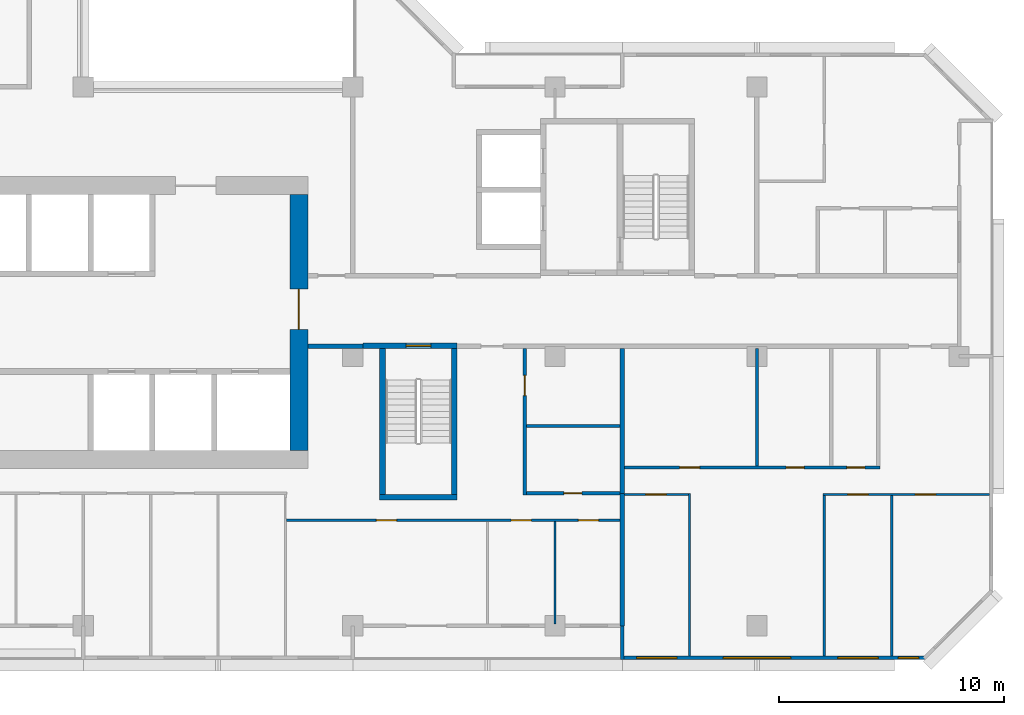
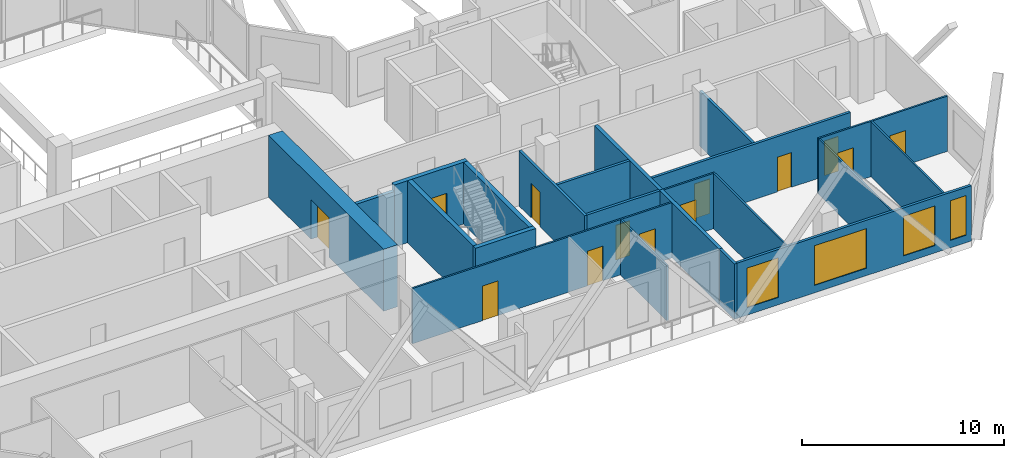
# One storey, part 6 of 14: 22 walls, 13 doors, 4 windows, 17 openings.
"""IFC4 building model written with IfcOpenShell, lengths in metres."""

from ifc_helpers import new_model, si_unit, direction, frame, frame_2d, origin, place, context, subcontext, project, spatial, rectangle, extrude, material, layer, layer_set, type_object, element, fill, save


model = new_model("IFC4")

# Units and contexts
model_context = context("Model", 3, precision=1e-05, world=origin(), true_north=direction((0.0, 1.0)))
body_context = subcontext(model_context, "Body", "Model", "MODEL_VIEW")
ifc_project = project(units=[si_unit("LENGTHUNIT", "METRE"), si_unit("AREAUNIT", "SQUARE_METRE"), si_unit("VOLUMEUNIT", "CUBIC_METRE"), si_unit("PLANEANGLEUNIT", "RADIAN"), si_unit("MASSUNIT", "GRAM", prefix="KILO")], contexts=[model_context])

# Site, building, storey
site_placement = place(None, origin())
site = spatial("IfcSite", under=ifc_project, at=site_placement, CompositionType="ELEMENT")
building_placement = place(site_placement, origin())
building = spatial("IfcBuilding", under=site, at=building_placement, Name="Chenar Terraces", CompositionType="ELEMENT")
storey_placement = place(building_placement, frame((0.0, 0.0, 179.89990234375)))
storey = spatial("IfcBuildingStorey", under=building, at=storey_placement, Name="L41", CompositionType="ELEMENT", Elevation=179.89990234375)

# Wall
ifc_material_1 = material(Name="Concrete C60/75", Category="concrete")
ifc_layer_1 = layer(ifc_material_1, 0.25)
ifc_layer_set_1 = layer_set([ifc_layer_1], Name="Concrete C60/75")
wall_type_1 = type_object("IfcWallType", Name="Core wall 250 Concrete C60/75", PredefinedType="SHEAR", material=ifc_layer_set_1)
wall_1_placement = place(storey_placement, frame((37.199951171875, 5.72509765625, 0.0), z_axis=(0.0, 0.0, 1.0), x_axis=(1.0, 0.0, 0.0)))
element("IfcWall", 1, at=wall_1_placement, inside=storey, type_object=wall_type_1, Name="Core wall ST2_S L41", PredefinedType="SHEAR", context=body_context, shape_type="SweptSolid", body=[
    extrude(rectangle(XDim=3.449951171875, YDim=0.25, at=frame_2d((1.72509765625, 0.0))), origin(), (0.0, 0.0, 1.0), 3.75),
])

# Wall, opening, door
wall_2_placement = place(storey_placement, frame((36.449951171875, 12.47509765625, 0.0), z_axis=(0.0, 0.0, 1.0), x_axis=(1.0, 0.0, 0.0)))
wall_2 = element("IfcWall", 2, at=wall_2_placement, inside=storey, type_object=wall_type_1, Name="Core wall ST2_N L41", PredefinedType="SHEAR", context=body_context, shape_type="SweptSolid", body=[
    extrude(rectangle(XDim=4.199951171875, YDim=0.25, at=frame_2d((2.10009765625, 0.0))), origin(), (0.0, 0.0, 1.0), 3.75),
])
opening_1_placement = place(wall_2_placement, frame((1.925048828125, 0.0, 0.0)))
opening_1 = element("IfcOpeningElement", 3, at=opening_1_placement, cuts=wall_2, Name="Opening DL41-C7", PredefinedType="OPENING", context=body_context, shape_type="SweptSolid", body=[
    extrude(rectangle(XDim=1.10009765625, YDim=2.199951171875, at=frame_2d((0.550048828125, 1.10009765625))), frame((0.0, 0.135009765625, 0.0), z_axis=(0.0, -1.0, 0.0), x_axis=(1.0, 0.0, 0.0)), (0.0, 0.0, 1.0), 0.27001953125),
])
ifc_material_2 = material(Name="Steel-framed fire-resisting door leaf", Category="steel")
door_type_1 = type_object("IfcDoorType", Name="Stair fire door FD60 1100 x 2200", OperationType="SINGLE_SWING_LEFT", PredefinedType="DOOR", material=ifc_material_2)
door_1_placement = place(opening_1_placement, frame((1.10009765625, 0.0, 0.0), z_axis=(0.0, 0.0, 1.0), x_axis=(-1.0, 0.0, 0.0)))
door_1 = element("IfcDoor", 4, at=door_1_placement, inside=storey, type_object=door_type_1, Name="Stair door DL41-C7", OperationType="SINGLE_SWING_RIGHT", OverallHeight=2.199951171875, OverallWidth=1.10009765625, PredefinedType="DOOR", context=body_context, shape_type="SweptSolid", body=[
    extrude(rectangle(XDim=1.10009765625, YDim=2.199951171875, at=frame_2d((0.550048828125, 1.10009765625))), frame((0.0, 0.02490234375, 0.0), z_axis=(0.0, -1.0, 0.0), x_axis=(1.0, 0.0, 0.0)), (0.0, 0.0, 1.0), 0.050048828125),
])
fill(opening_1, door_1)

# Walls
for number, where, z_axis, x_axis, name in (
    (5, (37.324951171875, 5.85009765625, 0.0), (0.0, 0.0, 1.0), (0.0, 1.0, 0.0), "Core wall ST2_W L41"),
    (6, (40.52490234375, 5.85009765625, 0.0), (0.0, 0.0, 1.0), (0.0, 1.0, 0.0), "Core wall ST2_E L41"),
):
    element("IfcWall", number, at=place(storey_placement, frame(where, z_axis=z_axis, x_axis=x_axis)), inside=storey, type_object=wall_type_1, Name=name, PredefinedType="SHEAR", context=body_context, shape_type="SweptSolid", body=[
        extrude(rectangle(XDim=6.5, YDim=0.25, at=frame_2d((3.25, 0.0))), origin(), (0.0, 0.0, 1.0), 3.75),
    ])

# Wall, opening, door
ifc_material_3 = material(Name="Concrete C60/75", Category="concrete")
ifc_layer_2 = layer(ifc_material_3, 0.800048828125)
ifc_layer_set_2 = layer_set([ifc_layer_2], Name="Concrete C60/75")
wall_type_2 = type_object("IfcWallType", Name="Core wall 800 Concrete C60/75", PredefinedType="SHEAR", material=ifc_layer_set_2)
wall_3_placement = place(storey_placement, frame((33.60009765625, 7.800048828125, 0.0), z_axis=(0.0, 0.0, 1.0), x_axis=(0.0, 1.0, 0.0)))
wall_3 = element("IfcWall", 7, at=wall_3_placement, inside=storey, type_object=wall_type_2, Name="Core wall E L41", PredefinedType="SHEAR", context=body_context, shape_type="SweptSolid", body=[
    extrude(rectangle(XDim=11.39990234375, YDim=0.800048828125, at=frame_2d((5.699951171875, 0.0))), origin(), (0.0, 0.0, 1.0), 3.75),
])
opening_2_placement = place(wall_3_placement, frame((5.39990234375, 0.0, 0.0)))
opening_2 = element("IfcOpeningElement", 8, at=opening_2_placement, cuts=wall_3, Name="Opening DL41-C1", PredefinedType="OPENING", context=body_context, shape_type="SweptSolid", body=[
    extrude(rectangle(XDim=1.800048828125, YDim=2.39990234375, at=frame_2d((0.89990234375, 1.199951171875))), frame((0.0, 0.409912109375, 0.0), z_axis=(0.0, -1.0, 0.0), x_axis=(1.0, 0.0, 0.0)), (0.0, 0.0, 1.0), 0.820068359375),
])
ifc_material_4 = material(Name="Steel-framed fire-resisting door leaf", Category="steel")
door_type_2 = type_object("IfcDoorType", Name="Core entrance double fire door FD60 1800 x 2400", OperationType="DOUBLE_DOOR_SINGLE_SWING", PredefinedType="DOOR", material=ifc_material_4)
door_2_placement = place(opening_2_placement, origin())
door_2 = element("IfcDoor", 9, at=door_2_placement, inside=storey, type_object=door_type_2, Name="Core door DL41-C1", OperationType="DOUBLE_DOOR_SINGLE_SWING", OverallHeight=2.39990234375, OverallWidth=1.800048828125, PredefinedType="DOOR", context=body_context, shape_type="SweptSolid", body=[
    extrude(rectangle(XDim=1.800048828125, YDim=2.39990234375, at=frame_2d((0.89990234375, 1.199951171875))), frame((0.0, 0.02490234375, 0.0), z_axis=(0.0, -1.0, 0.0), x_axis=(1.0, 0.0, 0.0)), (0.0, 0.0, 1.0), 0.050048828125),
])
fill(opening_2, door_2)

# Wall
ifc_material_5 = material(Name="Gypsum board on steel studs with fire boards", Category="steel")
ifc_layer_3 = layer(ifc_material_5, 0.199951171875)
ifc_layer_set_3 = layer_set([ifc_layer_3], Name="Gypsum board on steel studs with fire boards")
wall_type_3 = type_object("IfcWallType", Name="Corridor wall 200", PredefinedType="PARTITIONING", material=ifc_layer_set_3)
wall_4_placement = place(storey_placement, frame((34.0, 12.449951171875, 0.0), z_axis=(0.0, 0.0, 1.0), x_axis=(1.0, 0.0, 0.0)))
element("IfcWall", 10, at=wall_4_placement, inside=storey, type_object=wall_type_3, Name="Partition L41-059", PredefinedType="PARTITIONING", context=body_context, shape_type="SweptSolid", body=[
    extrude(rectangle(XDim=2.450927734375, YDim=0.199951171875, at=frame_2d((1.2255859375, 0.0))), origin(), (0.0, 0.0, 1.0), 3.35009765625),
])

# Wall, openings, windows
ifc_material_6 = material(Name="Aluminium framed glazing", Category="aluminium")
ifc_layer_4 = layer(ifc_material_6, 0.14990234375)
ifc_layer_set_4 = layer_set([ifc_layer_4], Name="Aluminium framed glazing")
wall_type_4 = type_object("IfcWallType", Name="Glazed flush facade wall 150", PredefinedType="SOLIDWALL", material=ifc_layer_set_4)
wall_5_placement = place(storey_placement, frame((48.074951171875, -1.425048828125, 0.0), z_axis=(0.0, 0.0, 1.0), x_axis=(1.0, 0.0, 0.0)))
wall_5 = element("IfcWall", 11, at=wall_5_placement, inside=storey, type_object=wall_type_4, Name="Glazed flush facade wall", PredefinedType="SOLIDWALL", context=body_context, shape_type="SweptSolid", body=[
    extrude(rectangle(XDim=13.425048828125, YDim=0.14990234375, at=frame_2d((6.71240234375, 0.0))), origin(), (0.0, 0.0, 1.0), 3.35009765625),
])
opening_3_placement = place(wall_5_placement, frame((0.5625, 0.0, 0.449951171875)))
opening_3 = element("IfcOpeningElement", 12, at=opening_3_placement, cuts=wall_5, Name="Opening W180x240", PredefinedType="OPENING", context=body_context, shape_type="SweptSolid", body=[
    extrude(rectangle(XDim=1.800048828125, YDim=2.39990234375, at=frame_2d((0.89990234375, 1.199951171875))), frame((0.0, 0.0849609375, 0.0), z_axis=(0.0, -1.0, 0.0), x_axis=(1.0, 0.0, 0.0)), (0.0, 0.0, 1.0), 0.169921875),
])
opening_4_placement = place(wall_5_placement, frame((4.425048828125, 0.0, 0.449951171875)))
opening_4 = element("IfcOpeningElement", 13, at=opening_4_placement, cuts=wall_5, Name="Opening W300x240", PredefinedType="OPENING", context=body_context, shape_type="SweptSolid", body=[
    extrude(rectangle(XDim=3.0, YDim=2.39990234375, at=frame_2d((1.5, 1.199951171875))), frame((0.0, 0.0849609375, 0.0), z_axis=(0.0, -1.0, 0.0), x_axis=(1.0, 0.0, 0.0)), (0.0, 0.0, 1.0), 0.169921875),
])
opening_5_placement = place(wall_5_placement, frame((9.52490234375, 0.0, 0.449951171875)))
opening_5 = element("IfcOpeningElement", 14, at=opening_5_placement, cuts=wall_5, Name="Opening W180x240", PredefinedType="OPENING", context=body_context, shape_type="SweptSolid", body=[
    extrude(rectangle(XDim=1.800048828125, YDim=2.39990234375, at=frame_2d((0.89990234375, 1.199951171875))), frame((0.0, 0.0849609375, 0.0), z_axis=(0.0, -1.0, 0.0), x_axis=(1.0, 0.0, 0.0)), (0.0, 0.0, 1.0), 0.169921875),
])
opening_6_placement = place(wall_5_placement, frame((12.22509765625, 0.0, 0.449951171875)))
opening_6 = element("IfcOpeningElement", 15, at=opening_6_placement, cuts=wall_5, Name="Opening W90x240", PredefinedType="OPENING", context=body_context, shape_type="SweptSolid", body=[
    extrude(rectangle(XDim=0.89990234375, YDim=2.39990234375, at=frame_2d((0.449951171875, 1.199951171875))), frame((0.0, 0.0849609375, 0.0), z_axis=(0.0, -1.0, 0.0), x_axis=(1.0, 0.0, 0.0)), (0.0, 0.0, 1.0), 0.169921875),
])
ifc_material_7 = material(Name="Low emissivity double glazing, aluminium frame", Category="aluminium")
window_type_1 = type_object("IfcWindowType", Name="Fixed light 1800 x 2400", PartitioningType="SINGLE_PANEL", PredefinedType="WINDOW", material=ifc_material_7)
window_1_placement = place(opening_3_placement, origin())
window_1 = element("IfcWindow", 16, at=window_1_placement, inside=storey, type_object=window_type_1, Name="Window", OverallHeight=2.39990234375, OverallWidth=1.800048828125, PartitioningType="SINGLE_PANEL", PredefinedType="WINDOW", context=body_context, shape_type="SweptSolid", body=[
    extrude(rectangle(XDim=1.800048828125, YDim=2.39990234375, at=frame_2d((0.89990234375, 1.199951171875))), frame((0.0, 0.030029296875, 0.0), z_axis=(0.0, -1.0, 0.0), x_axis=(1.0, 0.0, 0.0)), (0.0, 0.0, 1.0), 0.06005859375),
])
fill(opening_3, window_1)
window_2_placement = place(opening_5_placement, origin())
window_2 = element("IfcWindow", 17, at=window_2_placement, inside=storey, type_object=window_type_1, Name="Window", OverallHeight=2.39990234375, OverallWidth=1.800048828125, PartitioningType="SINGLE_PANEL", PredefinedType="WINDOW", context=body_context, shape_type="SweptSolid", body=[
    extrude(rectangle(XDim=1.800048828125, YDim=2.39990234375, at=frame_2d((0.89990234375, 1.199951171875))), frame((0.0, 0.030029296875, 0.0), z_axis=(0.0, -1.0, 0.0), x_axis=(1.0, 0.0, 0.0)), (0.0, 0.0, 1.0), 0.06005859375),
])
fill(opening_5, window_2)
ifc_material_8 = material(Name="Low emissivity double glazing, aluminium frame", Category="aluminium")
window_type_2 = type_object("IfcWindowType", Name="Fixed light 3000 x 2400", PartitioningType="SINGLE_PANEL", PredefinedType="WINDOW", material=ifc_material_8)
window_3_placement = place(opening_4_placement, origin())
window_3 = element("IfcWindow", 18, at=window_3_placement, inside=storey, type_object=window_type_2, Name="Window", OverallHeight=2.39990234375, OverallWidth=3.0, PartitioningType="SINGLE_PANEL", PredefinedType="WINDOW", context=body_context, shape_type="SweptSolid", body=[
    extrude(rectangle(XDim=3.0, YDim=2.39990234375, at=frame_2d((1.5, 1.199951171875))), frame((0.0, 0.030029296875, 0.0), z_axis=(0.0, -1.0, 0.0), x_axis=(1.0, 0.0, 0.0)), (0.0, 0.0, 1.0), 0.06005859375),
])
fill(opening_4, window_3)
ifc_material_9 = material(Name="Low emissivity double glazing, aluminium frame", Category="aluminium")
window_type_3 = type_object("IfcWindowType", Name="Fixed light 900 x 2400", PartitioningType="SINGLE_PANEL", PredefinedType="WINDOW", material=ifc_material_9)
window_4_placement = place(opening_6_placement, origin())
window_4 = element("IfcWindow", 19, at=window_4_placement, inside=storey, type_object=window_type_3, Name="Window", OverallHeight=2.39990234375, OverallWidth=0.89990234375, PartitioningType="SINGLE_PANEL", PredefinedType="WINDOW", context=body_context, shape_type="SweptSolid", body=[
    extrude(rectangle(XDim=0.89990234375, YDim=2.39990234375, at=frame_2d((0.449951171875, 1.199951171875))), frame((0.0, 0.030029296875, 0.0), z_axis=(0.0, -1.0, 0.0), x_axis=(1.0, 0.0, 0.0)), (0.0, 0.0, 1.0), 0.06005859375),
])
fill(opening_6, window_4)

# Wall, openings, doors
ifc_material_10 = material(Name="Gypsum board on steel studs", Category="steel")
ifc_layer_5 = layer(ifc_material_10, 0.10009765625)
ifc_layer_set_5 = layer_set([ifc_layer_5], Name="Gypsum board on steel studs")
wall_type_5 = type_object("IfcWallType", Name="Gypsum partition 100", PredefinedType="PARTITIONING", material=ifc_layer_set_5)
wall_6_placement = place(storey_placement, frame((33.050048828125, 4.699951171875, 0.0), z_axis=(0.0, 0.0, 1.0), x_axis=(1.0, 0.0, 0.0)))
wall_6 = element("IfcWall", 20, at=wall_6_placement, inside=storey, type_object=wall_type_5, Name="Partition L41-058", PredefinedType="PARTITIONING", context=body_context, shape_type="SweptSolid", body=[
    extrude(rectangle(XDim=14.849853515625, YDim=0.10009765625, at=frame_2d((7.4248046875, 0.0))), origin(), (0.0, 0.0, 1.0), 3.35009765625),
])
opening_7_placement = place(wall_6_placement, frame((10.0, 0.0, 0.0)))
opening_7 = element("IfcOpeningElement", 21, at=opening_7_placement, cuts=wall_6, Name="Opening DL41-45", PredefinedType="OPENING", context=body_context, shape_type="SweptSolid", body=[
    extrude(rectangle(XDim=0.89990234375, YDim=2.10009765625, at=frame_2d((0.449951171875, 1.050048828125))), frame((0.0, 0.06005859375, 0.0), z_axis=(0.0, -1.0, 0.0), x_axis=(1.0, 0.0, 0.0)), (0.0, 0.0, 1.0), 0.1201171875),
])
opening_8_placement = place(wall_6_placement, frame((13.0, 0.0, 0.0)))
opening_8 = element("IfcOpeningElement", 22, at=opening_8_placement, cuts=wall_6, Name="Opening DL41-46", PredefinedType="OPENING", context=body_context, shape_type="SweptSolid", body=[
    extrude(rectangle(XDim=0.89990234375, YDim=2.10009765625, at=frame_2d((0.449951171875, 1.050048828125))), frame((0.0, 0.06005859375, 0.0), z_axis=(0.0, -1.0, 0.0), x_axis=(1.0, 0.0, 0.0)), (0.0, 0.0, 1.0), 0.1201171875),
])
opening_9_placement = place(wall_6_placement, frame((4.0, 0.0, 0.0)))
opening_9 = element("IfcOpeningElement", 23, at=opening_9_placement, cuts=wall_6, Name="Opening DL41-52", PredefinedType="OPENING", context=body_context, shape_type="SweptSolid", body=[
    extrude(rectangle(XDim=0.89990234375, YDim=2.10009765625, at=frame_2d((0.449951171875, 1.050048828125))), frame((0.0, 0.06005859375, 0.0), z_axis=(0.0, -1.0, 0.0), x_axis=(1.0, 0.0, 0.0)), (0.0, 0.0, 1.0), 0.1201171875),
])
ifc_material_11 = material(Name="Veneered timber door leaf", Category="wood")
door_type_3 = type_object("IfcDoorType", Name="Door 900 x 2100", OperationType="SINGLE_SWING_LEFT", PredefinedType="DOOR", material=ifc_material_11)
door_3_placement = place(opening_7_placement, frame((0.89990234375, 0.0, 0.0), z_axis=(0.0, 0.0, 1.0), x_axis=(-1.0, 0.0, 0.0)))
door_3 = element("IfcDoor", 24, at=door_3_placement, inside=storey, type_object=door_type_3, Name="Door DL41-45", OperationType="SINGLE_SWING_LEFT", OverallHeight=2.10009765625, OverallWidth=0.89990234375, PredefinedType="DOOR", context=body_context, shape_type="SweptSolid", body=[
    extrude(rectangle(XDim=0.89990234375, YDim=2.10009765625, at=frame_2d((0.449951171875, 1.050048828125))), frame((0.0, 0.02490234375, 0.0), z_axis=(0.0, -1.0, 0.0), x_axis=(1.0, 0.0, 0.0)), (0.0, 0.0, 1.0), 0.050048828125),
])
fill(opening_7, door_3)
door_4_placement = place(opening_8_placement, frame((0.89990234375, 0.0, 0.0), z_axis=(0.0, 0.0, 1.0), x_axis=(-1.0, 0.0, 0.0)))
door_4 = element("IfcDoor", 25, at=door_4_placement, inside=storey, type_object=door_type_3, Name="Door DL41-46", OperationType="SINGLE_SWING_LEFT", OverallHeight=2.10009765625, OverallWidth=0.89990234375, PredefinedType="DOOR", context=body_context, shape_type="SweptSolid", body=[
    extrude(rectangle(XDim=0.89990234375, YDim=2.10009765625, at=frame_2d((0.449951171875, 1.050048828125))), frame((0.0, 0.02490234375, 0.0), z_axis=(0.0, -1.0, 0.0), x_axis=(1.0, 0.0, 0.0)), (0.0, 0.0, 1.0), 0.050048828125),
])
fill(opening_8, door_4)
door_5_placement = place(opening_9_placement, frame((0.89990234375, 0.0, 0.0), z_axis=(0.0, 0.0, 1.0), x_axis=(-1.0, 0.0, 0.0)))
door_5 = element("IfcDoor", 26, at=door_5_placement, inside=storey, type_object=door_type_3, Name="Door DL41-52", OperationType="SINGLE_SWING_LEFT", OverallHeight=2.10009765625, OverallWidth=0.89990234375, PredefinedType="DOOR", context=body_context, shape_type="SweptSolid", body=[
    extrude(rectangle(XDim=0.89990234375, YDim=2.10009765625, at=frame_2d((0.449951171875, 1.050048828125))), frame((0.0, 0.02490234375, 0.0), z_axis=(0.0, -1.0, 0.0), x_axis=(1.0, 0.0, 0.0)), (0.0, 0.0, 1.0), 0.050048828125),
])
fill(opening_9, door_5)

# Wall
wall_7_placement = place(storey_placement, frame((45.0, 0.073974609375, 0.0), z_axis=(0.0, 0.0, 1.0), x_axis=(0.0, 1.0, 0.0)))
element("IfcWall", 27, at=wall_7_placement, inside=storey, type_object=wall_type_5, Name="Partition L41-067", PredefinedType="PARTITIONING", context=body_context, shape_type="SweptSolid", body=[
    extrude(rectangle(XDim=4.575927734375, YDim=0.10009765625, at=frame_2d((2.2880859375, 0.0))), origin(), (0.0, 0.0, 1.0), 3.35009765625),
])

# Wall, opening, door
wall_8_placement = place(storey_placement, frame((48.10009765625, 5.85009765625, 0.0), z_axis=(0.0, 0.0, 1.0), x_axis=(1.0, 0.0, 0.0)))
wall_8 = element("IfcWall", 28, at=wall_8_placement, inside=storey, type_object=wall_type_5, Name="Partition L41-071", PredefinedType="PARTITIONING", context=body_context, shape_type="SweptSolid", body=[
    extrude(rectangle(XDim=2.849853515625, YDim=0.10009765625, at=frame_2d((1.4248046875, 0.0))), origin(), (0.0, 0.0, 1.0), 3.35009765625),
])
opening_10_placement = place(wall_8_placement, frame((0.949951171875, 0.0, 0.0)))
opening_10 = element("IfcOpeningElement", 29, at=opening_10_placement, cuts=wall_8, Name="Opening DL41-9", PredefinedType="OPENING", context=body_context, shape_type="SweptSolid", body=[
    extrude(rectangle(XDim=0.89990234375, YDim=2.10009765625, at=frame_2d((0.449951171875, 1.050048828125))), frame((0.0, 0.06005859375, 0.0), z_axis=(0.0, -1.0, 0.0), x_axis=(1.0, 0.0, 0.0)), (0.0, 0.0, 1.0), 0.1201171875),
])
door_6_placement = place(opening_10_placement, frame((0.89990234375, 0.0, 0.0), z_axis=(0.0, 0.0, 1.0), x_axis=(-1.0, 0.0, 0.0)))
door_6 = element("IfcDoor", 30, at=door_6_placement, inside=storey, type_object=door_type_3, Name="Door DL41-9", OperationType="SINGLE_SWING_LEFT", OverallHeight=2.10009765625, OverallWidth=0.89990234375, PredefinedType="DOOR", context=body_context, shape_type="SweptSolid", body=[
    extrude(rectangle(XDim=0.89990234375, YDim=2.10009765625, at=frame_2d((0.449951171875, 1.050048828125))), frame((0.0, 0.02490234375, 0.0), z_axis=(0.0, -1.0, 0.0), x_axis=(1.0, 0.0, 0.0)), (0.0, 0.0, 1.0), 0.050048828125),
])
fill(opening_10, door_6)

# Wall
wall_9_placement = place(storey_placement, frame((51.0, -1.35009765625, 0.0), z_axis=(0.0, 0.0, 1.0), x_axis=(0.0, 1.0, 0.0)))
element("IfcWall", 31, at=wall_9_placement, inside=storey, type_object=wall_type_5, Name="Partition L41-073", PredefinedType="PARTITIONING", context=body_context, shape_type="SweptSolid", body=[
    extrude(rectangle(XDim=7.25, YDim=0.10009765625, at=frame_2d((3.625, 0.0))), origin(), (0.0, 0.0, 1.0), 3.35009765625),
])

# Wall, openings, doors
wall_10_placement = place(storey_placement, frame((56.949951171875, 5.85009765625, 0.0), z_axis=(0.0, 0.0, 1.0), x_axis=(1.0, 0.0, 0.0)))
wall_10 = element("IfcWall", 32, at=wall_10_placement, inside=storey, type_object=wall_type_5, Name="Partition L41-080", PredefinedType="PARTITIONING", context=body_context, shape_type="SweptSolid", body=[
    extrude(rectangle(XDim=7.400146484375, YDim=0.10009765625, at=frame_2d((3.7001953125, 0.0))), origin(), (0.0, 0.0, 1.0), 3.35009765625),
])
opening_11_placement = place(wall_10_placement, frame((4.10009765625, 0.0, 0.0)))
opening_11 = element("IfcOpeningElement", 33, at=opening_11_placement, cuts=wall_10, Name="Opening DL41-10", PredefinedType="OPENING", context=body_context, shape_type="SweptSolid", body=[
    extrude(rectangle(XDim=0.89990234375, YDim=2.10009765625, at=frame_2d((0.449951171875, 1.050048828125))), frame((0.0, 0.06005859375, 0.0), z_axis=(0.0, -1.0, 0.0), x_axis=(1.0, 0.0, 0.0)), (0.0, 0.0, 1.0), 0.1201171875),
])
opening_12_placement = place(wall_10_placement, frame((1.10009765625, 0.0, 0.0)))
opening_12 = element("IfcOpeningElement", 34, at=opening_12_placement, cuts=wall_10, Name="Opening DL41-13", PredefinedType="OPENING", context=body_context, shape_type="SweptSolid", body=[
    extrude(rectangle(XDim=0.89990234375, YDim=2.10009765625, at=frame_2d((0.449951171875, 1.050048828125))), frame((0.0, 0.06005859375, 0.0), z_axis=(0.0, -1.0, 0.0), x_axis=(1.0, 0.0, 0.0)), (0.0, 0.0, 1.0), 0.1201171875),
])
door_7_placement = place(opening_11_placement, frame((0.89990234375, 0.0, 0.0), z_axis=(0.0, 0.0, 1.0), x_axis=(-1.0, 0.0, 0.0)))
door_7 = element("IfcDoor", 35, at=door_7_placement, inside=storey, type_object=door_type_3, Name="Door DL41-10", OperationType="SINGLE_SWING_RIGHT", OverallHeight=2.10009765625, OverallWidth=0.89990234375, PredefinedType="DOOR", context=body_context, shape_type="SweptSolid", body=[
    extrude(rectangle(XDim=0.89990234375, YDim=2.10009765625, at=frame_2d((0.449951171875, 1.050048828125))), frame((0.0, 0.02490234375, 0.0), z_axis=(0.0, -1.0, 0.0), x_axis=(1.0, 0.0, 0.0)), (0.0, 0.0, 1.0), 0.050048828125),
])
fill(opening_11, door_7)
door_8_placement = place(opening_12_placement, frame((0.89990234375, 0.0, 0.0), z_axis=(0.0, 0.0, 1.0), x_axis=(-1.0, 0.0, 0.0)))
door_8 = element("IfcDoor", 36, at=door_8_placement, inside=storey, type_object=door_type_3, Name="Door DL41-13", OperationType="SINGLE_SWING_RIGHT", OverallHeight=2.10009765625, OverallWidth=0.89990234375, PredefinedType="DOOR", context=body_context, shape_type="SweptSolid", body=[
    extrude(rectangle(XDim=0.89990234375, YDim=2.10009765625, at=frame_2d((0.449951171875, 1.050048828125))), frame((0.0, 0.02490234375, 0.0), z_axis=(0.0, -1.0, 0.0), x_axis=(1.0, 0.0, 0.0)), (0.0, 0.0, 1.0), 0.050048828125),
])
fill(opening_12, door_8)

# Walls
for number, where, z_axis, x_axis, name in (
    (37, (57.0, -1.35009765625, 0.0), (0.0, 0.0, 1.0), (0.0, 1.0, 0.0), "Partition L41-081"),
    (38, (60.0, -1.35009765625, 0.0), (0.0, 0.0, 1.0), (0.0, 1.0, 0.0), "Partition L41-086"),
):
    element("IfcWall", number, at=place(storey_placement, frame(where, z_axis=z_axis, x_axis=x_axis)), inside=storey, type_object=wall_type_5, Name=name, PredefinedType="PARTITIONING", context=body_context, shape_type="SweptSolid", body=[
        extrude(rectangle(XDim=7.150146484375, YDim=0.10009765625, at=frame_2d((3.5751953125, 0.0))), origin(), (0.0, 0.0, 1.0), 3.35009765625),
    ])
ifc_material_12 = material(Name="Terracotta cladding on insulated backing", Category="masonry")
ifc_layer_6 = layer(ifc_material_12, 0.14990234375)
ifc_layer_set_6 = layer_set([ifc_layer_6], Name="Terracotta cladding on insulated backing")
wall_type_6 = type_object("IfcWallType", Name="Loggia return wall 150", PredefinedType="SOLIDWALL", material=ifc_layer_set_6)
wall_11_placement = place(storey_placement, frame((48.0, -1.5, 0.0), z_axis=(0.0, 0.0, 1.0), x_axis=(0.0, 1.0, 0.0)))
element("IfcWall", 39, at=wall_11_placement, inside=storey, type_object=wall_type_6, Name="Loggia return wall", PredefinedType="SOLIDWALL", context=body_context, shape_type="SweptSolid", body=[
    extrude(rectangle(XDim=1.5, YDim=0.14990234375, at=frame_2d((0.75, 0.0))), origin(), (0.0, 0.0, 1.0), 3.35009765625),
])
ifc_material_13 = material(Name="Twin gypsum board on steel studs with mineral wool", Category="steel")
ifc_layer_7 = layer(ifc_material_13, 0.199951171875)
ifc_layer_set_7 = layer_set([ifc_layer_7], Name="Twin gypsum board on steel studs with mineral wool")
wall_type_7 = type_object("IfcWallType", Name="Unit demising wall 200", PredefinedType="PARTITIONING", material=ifc_layer_set_7)
wall_12_placement = place(storey_placement, frame((48.0, 0.0, 0.0), z_axis=(0.0, 0.0, 1.0), x_axis=(0.0, 1.0, 0.0)))
element("IfcWall", 40, at=wall_12_placement, inside=storey, type_object=wall_type_7, Name="Partition L41-069", PredefinedType="PARTITIONING", context=body_context, shape_type="SweptSolid", body=[
    extrude(rectangle(XDim=5.89990234375, YDim=0.199951171875, at=frame_2d((2.949951171875, 0.0))), origin(), (0.0, 0.0, 1.0), 3.35009765625),
])
wall_13_placement = place(storey_placement, frame((48.0, 5.824951171875, 0.0), z_axis=(0.0, 0.0, 1.0), x_axis=(0.0, 1.0, 0.0)))
element("IfcWall", 41, at=wall_13_placement, inside=storey, type_object=wall_type_7, Name="Partition L41-070", PredefinedType="PARTITIONING", context=body_context, shape_type="SweptSolid", body=[
    extrude(rectangle(XDim=6.525146484375, YDim=0.199951171875, at=frame_2d((3.2626953125, 0.0))), origin(), (0.0, 0.0, 1.0), 3.35009765625),
])

# Wall, opening, door
ifc_material_14 = material(Name="Moisture-resistant gypsum board on steel studs", Category="steel")
ifc_layer_8 = layer(ifc_material_14, 0.14990234375)
ifc_layer_set_8 = layer_set([ifc_layer_8], Name="Moisture-resistant gypsum board on steel studs")
wall_type_8 = type_object("IfcWallType", Name="Wet-room partition 150", PredefinedType="PARTITIONING", material=ifc_layer_set_8)
wall_14_placement = place(storey_placement, frame((43.64990234375, 5.824951171875, 0.0), z_axis=(0.0, 0.0, 1.0), x_axis=(0.0, 1.0, 0.0)))
wall_14 = element("IfcWall", 42, at=wall_14_placement, inside=storey, type_object=wall_type_8, Name="Partition L41-064", PredefinedType="PARTITIONING", context=body_context, shape_type="SweptSolid", body=[
    extrude(rectangle(XDim=6.525146484375, YDim=0.14990234375, at=frame_2d((3.2626953125, 0.0))), origin(), (0.0, 0.0, 1.0), 3.35009765625),
])
opening_13_placement = place(wall_14_placement, frame((4.425048828125, 0.0, 0.0)))
opening_13 = element("IfcOpeningElement", 43, at=opening_13_placement, cuts=wall_14, Name="Opening DL41-50", PredefinedType="OPENING", context=body_context, shape_type="SweptSolid", body=[
    extrude(rectangle(XDim=0.89990234375, YDim=2.10009765625, at=frame_2d((0.449951171875, 1.050048828125))), frame((0.0, 0.0849609375, 0.0), z_axis=(0.0, -1.0, 0.0), x_axis=(1.0, 0.0, 0.0)), (0.0, 0.0, 1.0), 0.169921875),
])
door_9_placement = place(opening_13_placement, frame((0.89990234375, 0.0, 0.0), z_axis=(0.0, 0.0, 1.0), x_axis=(-1.0, 0.0, 0.0)))
door_9 = element("IfcDoor", 44, at=door_9_placement, inside=storey, type_object=door_type_3, Name="Door DL41-50", OperationType="SINGLE_SWING_LEFT", OverallHeight=2.10009765625, OverallWidth=0.89990234375, PredefinedType="DOOR", context=body_context, shape_type="SweptSolid", body=[
    extrude(rectangle(XDim=0.89990234375, YDim=2.10009765625, at=frame_2d((0.449951171875, 1.050048828125))), frame((0.0, 0.02490234375, 0.0), z_axis=(0.0, -1.0, 0.0), x_axis=(1.0, 0.0, 0.0)), (0.0, 0.0, 1.0), 0.050048828125),
])
fill(opening_13, door_9)

wall_15_placement = place(storey_placement, frame((43.72509765625, 5.89990234375, 0.0), z_axis=(0.0, 0.0, 1.0), x_axis=(1.0, 0.0, 0.0)))
wall_15 = element("IfcWall", 45, at=wall_15_placement, inside=storey, type_object=wall_type_8, Name="Partition L41-065", PredefinedType="PARTITIONING", context=body_context, shape_type="SweptSolid", body=[
    extrude(rectangle(XDim=4.1748046875, YDim=0.14990234375, at=frame_2d((2.08740234375, 0.0))), origin(), (0.0, 0.0, 1.0), 3.35009765625),
])
opening_14_placement = place(wall_15_placement, frame((1.675048828125, 0.0, 0.0)))
opening_14 = element("IfcOpeningElement", 46, at=opening_14_placement, cuts=wall_15, Name="Opening DL41-40", PredefinedType="OPENING", context=body_context, shape_type="SweptSolid", body=[
    extrude(rectangle(XDim=0.800048828125, YDim=2.10009765625, at=frame_2d((0.39990234375, 1.050048828125))), frame((0.0, 0.0849609375, 0.0), z_axis=(0.0, -1.0, 0.0), x_axis=(1.0, 0.0, 0.0)), (0.0, 0.0, 1.0), 0.169921875),
])
ifc_material_15 = material(Name="Veneered timber door leaf", Category="wood")
door_type_4 = type_object("IfcDoorType", Name="Door 800 x 2100", OperationType="SINGLE_SWING_LEFT", PredefinedType="DOOR", material=ifc_material_15)
door_10_placement = place(opening_14_placement, origin())
door_10 = element("IfcDoor", 47, at=door_10_placement, inside=storey, type_object=door_type_4, Name="Door DL41-40", OperationType="SINGLE_SWING_LEFT", OverallHeight=2.10009765625, OverallWidth=0.800048828125, PredefinedType="DOOR", context=body_context, shape_type="SweptSolid", body=[
    extrude(rectangle(XDim=0.800048828125, YDim=2.10009765625, at=frame_2d((0.39990234375, 1.050048828125))), frame((0.0, 0.02490234375, 0.0), z_axis=(0.0, -1.0, 0.0), x_axis=(1.0, 0.0, 0.0)), (0.0, 0.0, 1.0), 0.050048828125),
])
fill(opening_14, door_10)

# Wall
wall_16_placement = place(storey_placement, frame((43.72509765625, 8.89990234375, 0.0), z_axis=(0.0, 0.0, 1.0), x_axis=(1.0, 0.0, 0.0)))
element("IfcWall", 48, at=wall_16_placement, inside=storey, type_object=wall_type_8, Name="Partition L41-066", PredefinedType="PARTITIONING", context=body_context, shape_type="SweptSolid", body=[
    extrude(rectangle(XDim=4.1748046875, YDim=0.14990234375, at=frame_2d((2.08740234375, 0.0))), origin(), (0.0, 0.0, 1.0), 3.35009765625),
])

# Wall, openings, doors
wall_17_placement = place(storey_placement, frame((48.10009765625, 7.050048828125, 0.0), z_axis=(0.0, 0.0, 1.0), x_axis=(1.0, 0.0, 0.0)))
wall_17 = element("IfcWall", 49, at=wall_17_placement, inside=storey, type_object=wall_type_8, Name="Partition L41-072", PredefinedType="PARTITIONING", context=body_context, shape_type="SweptSolid", body=[
    extrude(rectangle(XDim=11.375, YDim=0.14990234375, at=frame_2d((5.6875, 0.0))), origin(), (0.0, 0.0, 1.0), 3.35009765625),
])
opening_15_placement = place(wall_17_placement, frame((7.199951171875, 0.0, 0.0)))
opening_15 = element("IfcOpeningElement", 50, at=opening_15_placement, cuts=wall_17, Name="Opening DL41-8", PredefinedType="OPENING", context=body_context, shape_type="SweptSolid", body=[
    extrude(rectangle(XDim=0.800048828125, YDim=2.10009765625, at=frame_2d((0.39990234375, 1.050048828125))), frame((0.0, 0.0849609375, 0.0), z_axis=(0.0, -1.0, 0.0), x_axis=(1.0, 0.0, 0.0)), (0.0, 0.0, 1.0), 0.169921875),
])
opening_16_placement = place(wall_17_placement, frame((2.449951171875, 0.0, 0.0)))
opening_16 = element("IfcOpeningElement", 51, at=opening_16_placement, cuts=wall_17, Name="Opening DL41-11", PredefinedType="OPENING", context=body_context, shape_type="SweptSolid", body=[
    extrude(rectangle(XDim=0.89990234375, YDim=2.10009765625, at=frame_2d((0.449951171875, 1.050048828125))), frame((0.0, 0.0849609375, 0.0), z_axis=(0.0, -1.0, 0.0), x_axis=(1.0, 0.0, 0.0)), (0.0, 0.0, 1.0), 0.169921875),
])
opening_17_placement = place(wall_17_placement, frame((9.89990234375, 0.0, 0.0)))
opening_17 = element("IfcOpeningElement", 52, at=opening_17_placement, cuts=wall_17, Name="Opening DL41-14", PredefinedType="OPENING", context=body_context, shape_type="SweptSolid", body=[
    extrude(rectangle(XDim=0.800048828125, YDim=2.10009765625, at=frame_2d((0.39990234375, 1.050048828125))), frame((0.0, 0.0849609375, 0.0), z_axis=(0.0, -1.0, 0.0), x_axis=(1.0, 0.0, 0.0)), (0.0, 0.0, 1.0), 0.169921875),
])
door_11_placement = place(opening_15_placement, origin())
door_11 = element("IfcDoor", 53, at=door_11_placement, inside=storey, type_object=door_type_4, Name="Door DL41-8", OperationType="SINGLE_SWING_RIGHT", OverallHeight=2.10009765625, OverallWidth=0.800048828125, PredefinedType="DOOR", context=body_context, shape_type="SweptSolid", body=[
    extrude(rectangle(XDim=0.800048828125, YDim=2.10009765625, at=frame_2d((0.39990234375, 1.050048828125))), frame((0.0, 0.02490234375, 0.0), z_axis=(0.0, -1.0, 0.0), x_axis=(1.0, 0.0, 0.0)), (0.0, 0.0, 1.0), 0.050048828125),
])
fill(opening_15, door_11)
door_12_placement = place(opening_17_placement, origin())
door_12 = element("IfcDoor", 54, at=door_12_placement, inside=storey, type_object=door_type_4, Name="Door DL41-14", OperationType="SINGLE_SWING_RIGHT", OverallHeight=2.10009765625, OverallWidth=0.800048828125, PredefinedType="DOOR", context=body_context, shape_type="SweptSolid", body=[
    extrude(rectangle(XDim=0.800048828125, YDim=2.10009765625, at=frame_2d((0.39990234375, 1.050048828125))), frame((0.0, 0.02490234375, 0.0), z_axis=(0.0, -1.0, 0.0), x_axis=(1.0, 0.0, 0.0)), (0.0, 0.0, 1.0), 0.050048828125),
])
fill(opening_17, door_12)
door_13_placement = place(opening_16_placement, origin())
door_13 = element("IfcDoor", 55, at=door_13_placement, inside=storey, type_object=door_type_3, Name="Door DL41-11", OperationType="SINGLE_SWING_RIGHT", OverallHeight=2.10009765625, OverallWidth=0.89990234375, PredefinedType="DOOR", context=body_context, shape_type="SweptSolid", body=[
    extrude(rectangle(XDim=0.89990234375, YDim=2.10009765625, at=frame_2d((0.449951171875, 1.050048828125))), frame((0.0, 0.02490234375, 0.0), z_axis=(0.0, -1.0, 0.0), x_axis=(1.0, 0.0, 0.0)), (0.0, 0.0, 1.0), 0.050048828125),
])
fill(opening_16, door_13)

# Wall
wall_18_placement = place(storey_placement, frame((54.0, 7.125, 0.0), z_axis=(0.0, 0.0, 1.0), x_axis=(0.0, 1.0, 0.0)))
element("IfcWall", 56, at=wall_18_placement, inside=storey, type_object=wall_type_8, Name="Partition L41-075", PredefinedType="PARTITIONING", context=body_context, shape_type="SweptSolid", body=[
    extrude(rectangle(XDim=5.22509765625, YDim=0.14990234375, at=frame_2d((2.612548828125, 0.0))), origin(), (0.0, 0.0, 1.0), 3.35009765625),
])

save(model, "model.ifc")
